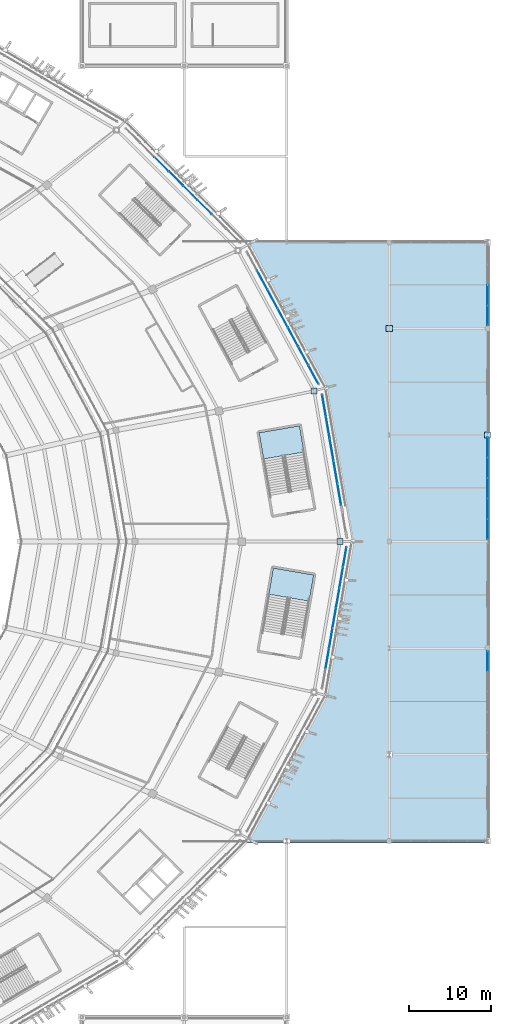
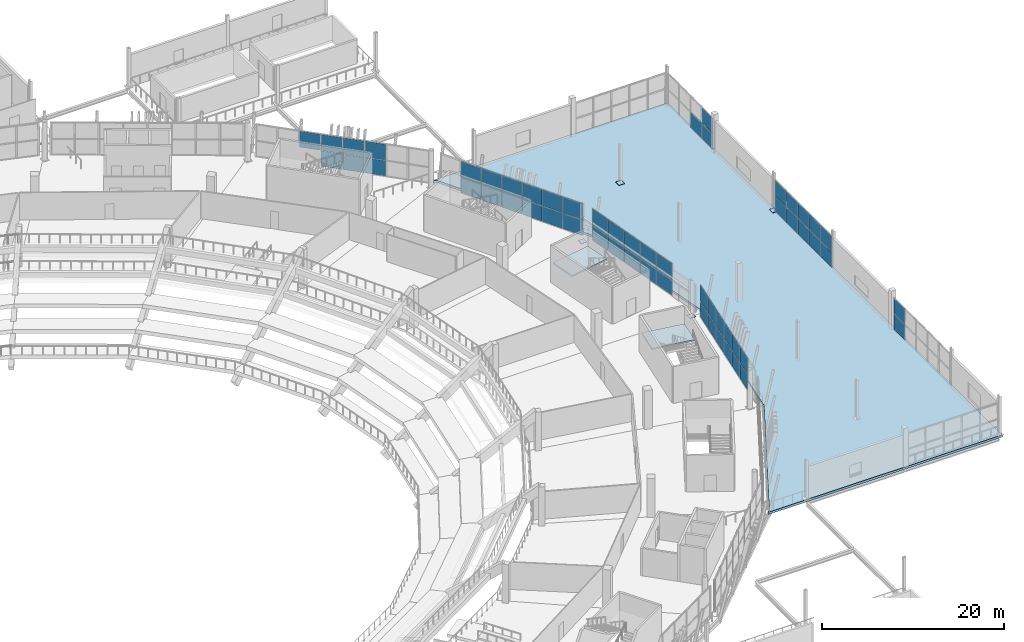
# One storey, part 98 of 178: 60 plates, 3 slabs, 9 elements without a shape of their own.
"""IFC4 building model written with IfcOpenShell, lengths in metres."""

from ifc_helpers import new_model, si_unit, direction, frame, origin, origin_2d, place, context, subcontext, project, spatial, polyline, rectangle, outline, extrude, material, layer, layer_set, type_object, element, aggregate, save


model = new_model("IFC4")

# Units and contexts
model_context = context("Model", 3, precision=1e-05, world=origin(), true_north=direction((0.0, 1.0)))
body_context = subcontext(model_context, "Body", "Model", "MODEL_VIEW")
ifc_project = project(units=[si_unit("LENGTHUNIT", "METRE"), si_unit("AREAUNIT", "SQUARE_METRE"), si_unit("VOLUMEUNIT", "CUBIC_METRE"), si_unit("PLANEANGLEUNIT", "RADIAN"), si_unit("MASSUNIT", "GRAM", prefix="KILO")], contexts=[model_context])

# Site, building, storey
site_placement = place(None, origin())
site = spatial("IfcSite", under=ifc_project, at=site_placement, CompositionType="ELEMENT")
building_placement = place(site_placement, origin())
building = spatial("IfcBuilding", under=site, at=building_placement, Name="Zlatoyarsky Gate Stadium", CompositionType="ELEMENT")
storey_placement = place(building_placement, frame((0.0, 0.0, 5.39990234375)))
storey = spatial("IfcBuildingStorey", under=building, at=storey_placement, Name="L01", CompositionType="ELEMENT", Elevation=5.39990234375)

# Curtain wall, plates
ifc_material_1 = material(Name="Thermally broken anodised aluminium curtain wall", Category="aluminium")
curtain_wall_type_1 = type_object("IfcCurtainWallType", Name="MONUMENTAL ARCHED GATE GLAZING LOWER", PredefinedType="USERDEFINED", material=ifc_material_1)
curtain_wall_1_placement = place(storey_placement, origin())
curtain_wall_1 = element("IfcCurtainWall", 1, at=curtain_wall_1_placement, inside=storey, type_object=curtain_wall_type_1, Name="Curtain wall CW-L01-00", ObjectType="ARCHED GATE GLAZING", PredefinedType="USERDEFINED")
ifc_material_2 = material(Name="Triple-glazed argon low-e architectural glass", Category="glass")
ifc_layer_1 = layer(ifc_material_2, 0.0458984375)
ifc_layer_set_1 = layer_set([ifc_layer_1], Name="Triple-glazed argon low-e architectural glass")
plate_type_1 = type_object("IfcPlateType", Name="ACOUSTIC LAMINATED GATE GLAZING PANEL 46", PredefinedType="CURTAIN_PANEL", material=ifc_layer_set_1)
plate_1_placement = place(storey_placement, frame((203.917724609375, 85.7626953125, 0.074951171875), z_axis=(0.0, 0.0, 1.0), x_axis=(-0.169451880356, 0.985538462082, 0.0)))
plate_1 = element("IfcPlate", 2, at=plate_1_placement, type_object=plate_type_1, Name="CW-AG1 panel 1.1", PredefinedType="CURTAIN_PANEL", context=body_context, shape_type="SweptSolid", body=[
    extrude(rectangle(XDim=2.644287109375, YDim=0.0458984375, at=origin_2d()), origin(), (0.0, 0.0, 1.0), 2.03759765625),
])
plate_2_placement = place(storey_placement, frame((203.917724609375, 85.7626953125, 2.1875), z_axis=(0.0, 0.0, 1.0), x_axis=(-0.169451880356, 0.985538462082, 0.0)))
plate_2 = element("IfcPlate", 3, at=plate_2_placement, type_object=plate_type_1, Name="CW-AG1 panel 1.2", PredefinedType="CURTAIN_PANEL", context=body_context, shape_type="SweptSolid", body=[
    extrude(rectangle(XDim=2.644287109375, YDim=0.0458984375, at=origin_2d()), origin(), (0.0, 0.0, 1.0), 2.137451171875),
])
plate_3_placement = place(storey_placement, frame((203.453857421875, 88.461181640625, 0.074951171875), z_axis=(0.0, 0.0, 1.0), x_axis=(-0.169451880356, 0.985538462082, 0.0)))
plate_3 = element("IfcPlate", 4, at=plate_3_placement, type_object=plate_type_1, Name="CW-AG1 panel 2.1", PredefinedType="CURTAIN_PANEL", context=body_context, shape_type="SweptSolid", body=[
    extrude(rectangle(XDim=2.681884765625, YDim=0.0458984375, at=origin_2d()), origin(), (0.0, 0.0, 1.0), 2.03759765625),
])
plate_4_placement = place(storey_placement, frame((203.453857421875, 88.461181640625, 2.1875), z_axis=(0.0, 0.0, 1.0), x_axis=(-0.169451880356, 0.985538462082, 0.0)))
plate_4 = element("IfcPlate", 5, at=plate_4_placement, type_object=plate_type_1, Name="CW-AG1 panel 2.2", PredefinedType="CURTAIN_PANEL", context=body_context, shape_type="SweptSolid", body=[
    extrude(rectangle(XDim=2.681884765625, YDim=0.0458984375, at=origin_2d()), origin(), (0.0, 0.0, 1.0), 2.137451171875),
])
plate_5_placement = place(storey_placement, frame((202.986572265625, 91.17822265625, 0.074951171875), z_axis=(0.0, 0.0, 1.0), x_axis=(-0.169451880356, 0.985538462082, 0.0)))
plate_5 = element("IfcPlate", 6, at=plate_5_placement, type_object=plate_type_1, Name="CW-AG1 panel 3.1", PredefinedType="CURTAIN_PANEL", context=body_context, shape_type="SweptSolid", body=[
    extrude(rectangle(XDim=2.681884765625, YDim=0.0458984375, at=origin_2d()), origin(), (0.0, 0.0, 1.0), 2.03759765625),
])
plate_6_placement = place(storey_placement, frame((202.986572265625, 91.17822265625, 2.1875), z_axis=(0.0, 0.0, 1.0), x_axis=(-0.169451880356, 0.985538462082, 0.0)))
plate_6 = element("IfcPlate", 7, at=plate_6_placement, type_object=plate_type_1, Name="CW-AG1 panel 3.2", PredefinedType="CURTAIN_PANEL", context=body_context, shape_type="SweptSolid", body=[
    extrude(rectangle(XDim=2.681884765625, YDim=0.0458984375, at=origin_2d()), origin(), (0.0, 0.0, 1.0), 2.137451171875),
])
plate_7_placement = place(storey_placement, frame((202.51953125, 93.895263671875, 0.074951171875), z_axis=(0.0, 0.0, 1.0), x_axis=(-0.169451880356, 0.985538462082, 0.0)))
plate_7 = element("IfcPlate", 8, at=plate_7_placement, type_object=plate_type_1, Name="CW-AG1 panel 4.1", PredefinedType="CURTAIN_PANEL", context=body_context, shape_type="SweptSolid", body=[
    extrude(rectangle(XDim=2.681884765625, YDim=0.0458984375, at=origin_2d()), origin(), (0.0, 0.0, 1.0), 2.03759765625),
])
plate_8_placement = place(storey_placement, frame((202.51953125, 93.895263671875, 2.1875), z_axis=(0.0, 0.0, 1.0), x_axis=(-0.169451880356, 0.985538462082, 0.0)))
plate_8 = element("IfcPlate", 9, at=plate_8_placement, type_object=plate_type_1, Name="CW-AG1 panel 4.2", PredefinedType="CURTAIN_PANEL", context=body_context, shape_type="SweptSolid", body=[
    extrude(rectangle(XDim=2.681884765625, YDim=0.0458984375, at=origin_2d()), origin(), (0.0, 0.0, 1.0), 2.137451171875),
])
plate_9_placement = place(storey_placement, frame((202.055419921875, 96.59375, 0.074951171875), z_axis=(0.0, 0.0, 1.0), x_axis=(-0.169451880356, 0.985538462082, 0.0)))
plate_9 = element("IfcPlate", 10, at=plate_9_placement, type_object=plate_type_1, Name="CW-AG1 panel 5.1", PredefinedType="CURTAIN_PANEL", context=body_context, shape_type="SweptSolid", body=[
    extrude(rectangle(XDim=2.644287109375, YDim=0.0458984375, at=origin_2d()), origin(), (0.0, 0.0, 1.0), 2.03759765625),
])
plate_10_placement = place(storey_placement, frame((202.055419921875, 96.59375, 2.1875), z_axis=(0.0, 0.0, 1.0), x_axis=(-0.169451880356, 0.985538462082, 0.0)))
plate_10 = element("IfcPlate", 11, at=plate_10_placement, type_object=plate_type_1, Name="CW-AG1 panel 5.2", PredefinedType="CURTAIN_PANEL", context=body_context, shape_type="SweptSolid", body=[
    extrude(rectangle(XDim=2.644287109375, YDim=0.0458984375, at=origin_2d()), origin(), (0.0, 0.0, 1.0), 2.137451171875),
])
aggregate(curtain_wall_1, [plate_1, plate_2, plate_3, plate_4, plate_5, plate_6, plate_7, plate_8, plate_9, plate_10])

# Slab
ifc_material_3 = material(Name="Concrete C40/50", Category="concrete")
ifc_layer_2 = layer(ifc_material_3, 0.300048828125)
ifc_layer_set_2 = layer_set([ifc_layer_2], Name="Concrete C40/50")
slab_type_1 = type_object("IfcSlabType", Name="CONCRETE CONCOURSE SLAB 300", PredefinedType="FLOOR", material=ifc_layer_set_2)
slab_1_placement = place(storey_placement, frame((0.0, 0.0, -0.2998046875)))
element("IfcSlab", 12, at=slab_1_placement, inside=storey, type_object=slab_type_1, Name="L01 wing V5_EAST slab", PredefinedType="FLOOR", context=body_context, shape_type="SweptSolid", body=[
    extrude(outline(polyline([(192.497802734375, 43.260009765625), (192.933349609375, 43.69580078125), (202.384765625, 61.20751953125), (205.6083984375, 80.0), (202.384765625, 98.79248046875), (192.933349609375, 116.30419921875), (192.497802734375, 116.739990234375), (222.239990234375, 116.739990234375), (222.239990234375, 43.260009765625), (192.497802734375, 43.260009765625)])), origin(), (0.0, 0.0, 1.0), 0.2998046875),
])

# Stair, slab
stair_type = type_object("IfcStairType", Name="CONCRETE DOGLEG EXIT STAIR H5200", PredefinedType="TWO_STRAIGHT_RUN_STAIR", material=ifc_material_3)
stair_1_placement = place(storey_placement, origin())
stair_1 = element("IfcStair", 13, at=stair_1_placement, inside=storey, type_object=stair_type, Name="L01 Exit Stair ST-01", PredefinedType="TWO_STRAIGHT_RUN_STAIR")
ifc_layer_3 = layer(ifc_material_3, 0.199951171875)
ifc_layer_set_3 = layer_set([ifc_layer_3], Name="Concrete C40/50")
slab_type_2 = type_object("IfcSlabType", Name="CONCRETE STAIR LANDING SLAB 200", PredefinedType="LANDING", material=ifc_layer_set_3)
slab_2_placement = place(storey_placement, frame((0.0, 0.0, 2.400146484375)))
slab_2 = element("IfcSlab", 14, at=slab_2_placement, type_object=slab_type_2, Name="ST-DG52 landing 1", PredefinedType="LANDING", context=body_context, shape_type="SweptSolid", body=[
    extrude(outline(polyline([(199.610595703125, 90.919677734375), (199.058349609375, 94.12255859375), (194.131103515625, 93.272705078125), (194.683349609375, 90.070068359375), (199.610595703125, 90.919677734375)])), origin(), (0.0, 0.0, 1.0), 0.199951171875),
])
aggregate(stair_1, [slab_2])

stair_2_placement = place(storey_placement, origin())
stair_2 = element("IfcStair", 15, at=stair_2_placement, inside=storey, type_object=stair_type, Name="L01 Exit Stair ST-20", PredefinedType="TWO_STRAIGHT_RUN_STAIR")
slab_3_placement = place(storey_placement, frame((0.0, 0.0, 2.400146484375)))
slab_3 = element("IfcSlab", 16, at=slab_3_placement, type_object=slab_type_2, Name="ST-DG52 landing 1", PredefinedType="LANDING", context=body_context, shape_type="SweptSolid", body=[
    extrude(outline(polyline([(200.239501953125, 72.7265625), (200.791748046875, 75.92919921875), (195.864501953125, 76.77880859375), (195.312255859375, 73.576171875), (200.239501953125, 72.7265625)])), origin(), (0.0, 0.0, 1.0), 0.199951171875),
])
aggregate(stair_2, [slab_3])

# Curtain wall, plates
curtain_wall_type_2 = type_object("IfcCurtainWallType", Name="WINTER GARDEN CONSERVATORY GLAZING", PredefinedType="USERDEFINED", material=ifc_material_1)
curtain_wall_2_placement = place(storey_placement, origin())
curtain_wall_2 = element("IfcCurtainWall", 17, at=curtain_wall_2_placement, inside=storey, type_object=curtain_wall_type_2, Name="Curtain wall CW-V5_EAST-L01-180", ObjectType="UNITISED GLAZING", PredefinedType="USERDEFINED")
ifc_material_4 = material(Name="Anodised aluminium spandrel panel", Category="aluminium")
ifc_layer_4 = layer(ifc_material_4, 0.05810546875)
ifc_layer_set_4 = layer_set([ifc_layer_4], Name="Anodised aluminium spandrel panel")
plate_type_2 = type_object("IfcPlateType", Name="INSULATED ALUMINIUM SPANDREL PANEL 58", PredefinedType="CURTAIN_PANEL", material=ifc_layer_set_4)
plate_11_placement = place(storey_placement, frame((222.0, 65.4267578125, 0.06494140625), z_axis=(0.0, 0.0, 1.0), x_axis=(0.0, 1.0, 0.0)))
plate_11 = element("IfcPlate", 18, at=plate_11_placement, type_object=plate_type_2, Name="CW-WG1 panel 5.1", PredefinedType="CURTAIN_PANEL", context=body_context, shape_type="SweptSolid", body=[
    extrude(rectangle(XDim=2.392578125, YDim=0.05810546875, at=origin_2d()), origin(), (0.0, 0.0, 1.0), 2.052490234375),
])
plate_12_placement = place(storey_placement, frame((222.0, 65.4267578125, 2.1826171875), z_axis=(0.0, 0.0, 1.0), x_axis=(0.0, 1.0, 0.0)))
plate_12 = element("IfcPlate", 19, at=plate_12_placement, type_object=plate_type_2, Name="CW-WG1 panel 5.2", PredefinedType="CURTAIN_PANEL", context=body_context, shape_type="SweptSolid", body=[
    extrude(rectangle(XDim=2.392578125, YDim=0.05810546875, at=origin_2d()), origin(), (0.0, 0.0, 1.0), 2.052490234375),
])
aggregate(curtain_wall_2, [plate_11, plate_12])

# Plates
ifc_material_5 = material(Name="Steel S355", Category="steel")
ifc_layer_5 = layer(ifc_material_5, 0.0400390625)
ifc_layer_set_5 = layer_set([ifc_layer_5], Name="Steel S355")
plate_type_3 = type_object("IfcPlateType", Name="STEEL COLUMN BASE PLATE 40", PredefinedType="USERDEFINED", material=ifc_layer_set_5)
for number, where, z_axis, x_axis, name in (
    (20, (204.0, 80.0, 0.0), (0.0, 0.0, 1.0), (1.0, 0.0, 0.0), "Column base plate BP-01 at RC-00 L01"),
    (21, (200.8310546875, 98.376220703125, 0.0), (0.0, 0.0, 1.0), (1.0, 0.0, 0.0), "Column base plate BP-01 at RC-01 L01"),
    (22, (210.0, 106.0, 0.0), (0.0, 0.0, 1.0), (1.0, 0.0, 0.0), "Column base plate BP-01 at WG-18-K L01"),
    (23, (222.0, 93.0, 0.0), (0.0, 0.0, 1.0), (1.0, 0.0, 0.0), "Column base plate BP-01 at WG-19-J L01"),
):
    element("IfcPlate", number, at=place(storey_placement, frame(where, z_axis=z_axis, x_axis=x_axis)), inside=storey, type_object=plate_type_3, Name=name, ObjectType="BASE PLATE", PredefinedType="USERDEFINED", context=body_context, shape_type="SweptSolid", body=[
        extrude(rectangle(XDim=0.75, YDim=0.75, at=origin_2d()), origin(), (0.0, 0.0, 1.0), 0.0400390625),
    ])

# Curtain wall, plates
curtain_wall_type_3 = type_object("IfcCurtainWallType", Name="UNITISED HOSPITALITY GLAZING L01", PredefinedType="USERDEFINED", material=ifc_material_1)
curtain_wall_3_placement = place(storey_placement, origin())
curtain_wall_3 = element("IfcCurtainWall", 24, at=curtain_wall_3_placement, inside=storey, type_object=curtain_wall_type_3, Name="Curtain wall CW-L01-01", ObjectType="UNITISED GLAZING", PredefinedType="USERDEFINED")
ifc_layer_6 = layer(ifc_material_2, 0.0380859375)
ifc_layer_set_6 = layer_set([ifc_layer_6], Name="Triple-glazed argon low-e architectural glass")
plate_type_4 = type_object("IfcPlateType", Name="TRIPLE GLAZED LOW E CURTAIN PANEL 38", PredefinedType="CURTAIN_PANEL", material=ifc_layer_set_6)
plate_13_placement = place(storey_placement, frame((200.765625, 100.3544921875, 0.06494140625), z_axis=(0.0, 0.0, 1.0), x_axis=(-0.475784225682, 0.879562033396, 0.0)))
plate_13 = element("IfcPlate", 25, at=plate_13_placement, type_object=plate_type_4, Name="CW-UG1 panel 1.1", PredefinedType="CURTAIN_PANEL", context=body_context, shape_type="SweptSolid", body=[
    extrude(rectangle(XDim=2.53369140625, YDim=0.0380859375, at=origin_2d()), origin(), (0.0, 0.0, 1.0), 2.052490234375),
])
plate_14_placement = place(storey_placement, frame((200.765625, 100.3544921875, 2.1826171875), z_axis=(0.0, 0.0, 1.0), x_axis=(-0.475784225682, 0.879562033396, 0.0)))
plate_14 = element("IfcPlate", 26, at=plate_14_placement, type_object=plate_type_4, Name="CW-UG1 panel 1.2", PredefinedType="CURTAIN_PANEL", context=body_context, shape_type="SweptSolid", body=[
    extrude(rectangle(XDim=2.53369140625, YDim=0.0380859375, at=origin_2d()), origin(), (0.0, 0.0, 1.0), 2.152587890625),
])
plate_15_placement = place(storey_placement, frame((199.521484375, 102.654296875, 0.06494140625), z_axis=(0.0, 0.0, 1.0), x_axis=(-0.475784225682, 0.879562033396, 0.0)))
plate_15 = element("IfcPlate", 27, at=plate_15_placement, type_object=plate_type_4, Name="CW-UG1 panel 2.1", PredefinedType="CURTAIN_PANEL", context=body_context, shape_type="SweptSolid", body=[
    extrude(rectangle(XDim=2.566162109375, YDim=0.0380859375, at=origin_2d()), origin(), (0.0, 0.0, 1.0), 2.052490234375),
])
plate_16_placement = place(storey_placement, frame((199.521484375, 102.654296875, 2.1826171875), z_axis=(0.0, 0.0, 1.0), x_axis=(-0.475784225682, 0.879562033396, 0.0)))
plate_16 = element("IfcPlate", 28, at=plate_16_placement, type_object=plate_type_4, Name="CW-UG1 panel 2.2", PredefinedType="CURTAIN_PANEL", context=body_context, shape_type="SweptSolid", body=[
    extrude(rectangle(XDim=2.566162109375, YDim=0.0380859375, at=origin_2d()), origin(), (0.0, 0.0, 1.0), 2.152587890625),
])
plate_17_placement = place(storey_placement, frame((198.269775390625, 104.968505859375, 0.06494140625), z_axis=(0.0, 0.0, 1.0), x_axis=(-0.475784225682, 0.879562033396, 0.0)))
plate_17 = element("IfcPlate", 29, at=plate_17_placement, type_object=plate_type_4, Name="CW-UG1 panel 3.1", PredefinedType="CURTAIN_PANEL", context=body_context, shape_type="SweptSolid", body=[
    extrude(rectangle(XDim=2.566162109375, YDim=0.0380859375, at=origin_2d()), origin(), (0.0, 0.0, 1.0), 2.052490234375),
])
plate_18_placement = place(storey_placement, frame((198.269775390625, 104.968505859375, 2.1826171875), z_axis=(0.0, 0.0, 1.0), x_axis=(-0.475784225682, 0.879562033396, 0.0)))
plate_18 = element("IfcPlate", 30, at=plate_18_placement, type_object=plate_type_4, Name="CW-UG1 panel 3.2", PredefinedType="CURTAIN_PANEL", context=body_context, shape_type="SweptSolid", body=[
    extrude(rectangle(XDim=2.566162109375, YDim=0.0380859375, at=origin_2d()), origin(), (0.0, 0.0, 1.0), 2.152587890625),
])
plate_19_placement = place(storey_placement, frame((197.017822265625, 107.28271484375, 0.06494140625), z_axis=(0.0, 0.0, 1.0), x_axis=(-0.475784225682, 0.879562033396, 0.0)))
plate_19 = element("IfcPlate", 31, at=plate_19_placement, type_object=plate_type_4, Name="CW-UG1 panel 4.1", PredefinedType="CURTAIN_PANEL", context=body_context, shape_type="SweptSolid", body=[
    extrude(rectangle(XDim=2.566162109375, YDim=0.0380859375, at=origin_2d()), origin(), (0.0, 0.0, 1.0), 2.052490234375),
])
plate_20_placement = place(storey_placement, frame((197.017822265625, 107.28271484375, 2.1826171875), z_axis=(0.0, 0.0, 1.0), x_axis=(-0.475784225682, 0.879562033396, 0.0)))
plate_20 = element("IfcPlate", 32, at=plate_20_placement, type_object=plate_type_4, Name="CW-UG1 panel 4.2", PredefinedType="CURTAIN_PANEL", context=body_context, shape_type="SweptSolid", body=[
    extrude(rectangle(XDim=2.566162109375, YDim=0.0380859375, at=origin_2d()), origin(), (0.0, 0.0, 1.0), 2.152587890625),
])
plate_21_placement = place(storey_placement, frame((195.76611328125, 109.596923828125, 0.06494140625), z_axis=(0.0, 0.0, 1.0), x_axis=(-0.475784225682, 0.879562033396, 0.0)))
plate_21 = element("IfcPlate", 33, at=plate_21_placement, type_object=plate_type_4, Name="CW-UG1 panel 5.1", PredefinedType="CURTAIN_PANEL", context=body_context, shape_type="SweptSolid", body=[
    extrude(rectangle(XDim=2.566162109375, YDim=0.0380859375, at=origin_2d()), origin(), (0.0, 0.0, 1.0), 2.052490234375),
])
plate_22_placement = place(storey_placement, frame((195.76611328125, 109.596923828125, 2.1826171875), z_axis=(0.0, 0.0, 1.0), x_axis=(-0.475784225682, 0.879562033396, 0.0)))
plate_22 = element("IfcPlate", 34, at=plate_22_placement, type_object=plate_type_4, Name="CW-UG1 panel 5.2", PredefinedType="CURTAIN_PANEL", context=body_context, shape_type="SweptSolid", body=[
    extrude(rectangle(XDim=2.566162109375, YDim=0.0380859375, at=origin_2d()), origin(), (0.0, 0.0, 1.0), 2.152587890625),
])
plate_23_placement = place(storey_placement, frame((194.51416015625, 111.911376953125, 0.06494140625), z_axis=(0.0, 0.0, 1.0), x_axis=(-0.475784225682, 0.879562033396, 0.0)))
plate_23 = element("IfcPlate", 35, at=plate_23_placement, type_object=plate_type_4, Name="CW-UG1 panel 6.1", PredefinedType="CURTAIN_PANEL", context=body_context, shape_type="SweptSolid", body=[
    extrude(rectangle(XDim=2.566162109375, YDim=0.0380859375, at=origin_2d()), origin(), (0.0, 0.0, 1.0), 2.052490234375),
])
plate_24_placement = place(storey_placement, frame((194.51416015625, 111.911376953125, 2.1826171875), z_axis=(0.0, 0.0, 1.0), x_axis=(-0.475784225682, 0.879562033396, 0.0)))
plate_24 = element("IfcPlate", 36, at=plate_24_placement, type_object=plate_type_4, Name="CW-UG1 panel 6.2", PredefinedType="CURTAIN_PANEL", context=body_context, shape_type="SweptSolid", body=[
    extrude(rectangle(XDim=2.566162109375, YDim=0.0380859375, at=origin_2d()), origin(), (0.0, 0.0, 1.0), 2.152587890625),
])
aggregate(curtain_wall_3, [plate_13, plate_14, plate_15, plate_16, plate_17, plate_18, plate_19, plate_20, plate_21, plate_22, plate_23, plate_24])

curtain_wall_4_placement = place(storey_placement, origin())
curtain_wall_4 = element("IfcCurtainWall", 37, at=curtain_wall_4_placement, inside=storey, type_object=curtain_wall_type_3, Name="Curtain wall CW-L01-02", ObjectType="UNITISED GLAZING", PredefinedType="USERDEFINED")
plate_25_placement = place(storey_placement, frame((187.490966796875, 120.780517578125, 0.06494140625), z_axis=(0.0, 0.0, 1.0), x_axis=(-0.707841859523, 0.706370937898, 0.0)))
plate_25 = element("IfcPlate", 38, at=plate_25_placement, type_object=plate_type_4, Name="CW-UG1 panel 3.1", PredefinedType="CURTAIN_PANEL", context=body_context, shape_type="SweptSolid", body=[
    extrude(rectangle(XDim=2.407958984375, YDim=0.0380859375, at=origin_2d()), origin(), (0.0, 0.0, 1.0), 2.052490234375),
])
plate_26_placement = place(storey_placement, frame((187.490966796875, 120.780517578125, 2.1826171875), z_axis=(0.0, 0.0, 1.0), x_axis=(-0.707841859523, 0.706370937898, 0.0)))
plate_26 = element("IfcPlate", 39, at=plate_26_placement, type_object=plate_type_4, Name="CW-UG1 panel 3.2", PredefinedType="CURTAIN_PANEL", context=body_context, shape_type="SweptSolid", body=[
    extrude(rectangle(XDim=2.407958984375, YDim=0.0380859375, at=origin_2d()), origin(), (0.0, 0.0, 1.0), 2.152587890625),
])
plate_27_placement = place(storey_placement, frame((185.740478515625, 122.52734375, 0.06494140625), z_axis=(0.0, 0.0, 1.0), x_axis=(-0.707841859523, 0.706370937898, 0.0)))
plate_27 = element("IfcPlate", 40, at=plate_27_placement, type_object=plate_type_4, Name="CW-UG1 panel 4.1", PredefinedType="CURTAIN_PANEL", context=body_context, shape_type="SweptSolid", body=[
    extrude(rectangle(XDim=2.407958984375, YDim=0.0380859375, at=origin_2d()), origin(), (0.0, 0.0, 1.0), 2.052490234375),
])
plate_28_placement = place(storey_placement, frame((185.740478515625, 122.52734375, 2.1826171875), z_axis=(0.0, 0.0, 1.0), x_axis=(-0.707841859523, 0.706370937898, 0.0)))
plate_28 = element("IfcPlate", 41, at=plate_28_placement, type_object=plate_type_4, Name="CW-UG1 panel 4.2", PredefinedType="CURTAIN_PANEL", context=body_context, shape_type="SweptSolid", body=[
    extrude(rectangle(XDim=2.407958984375, YDim=0.0380859375, at=origin_2d()), origin(), (0.0, 0.0, 1.0), 2.152587890625),
])
plate_29_placement = place(storey_placement, frame((183.989990234375, 124.274169921875, 0.06494140625), z_axis=(0.0, 0.0, 1.0), x_axis=(-0.707841859523, 0.706370937898, 0.0)))
plate_29 = element("IfcPlate", 42, at=plate_29_placement, type_object=plate_type_4, Name="CW-UG1 panel 5.1", PredefinedType="CURTAIN_PANEL", context=body_context, shape_type="SweptSolid", body=[
    extrude(rectangle(XDim=2.407958984375, YDim=0.0380859375, at=origin_2d()), origin(), (0.0, 0.0, 1.0), 2.052490234375),
])
plate_30_placement = place(storey_placement, frame((183.989990234375, 124.274169921875, 2.1826171875), z_axis=(0.0, 0.0, 1.0), x_axis=(-0.707841859523, 0.706370937898, 0.0)))
plate_30 = element("IfcPlate", 43, at=plate_30_placement, type_object=plate_type_4, Name="CW-UG1 panel 5.2", PredefinedType="CURTAIN_PANEL", context=body_context, shape_type="SweptSolid", body=[
    extrude(rectangle(XDim=2.407958984375, YDim=0.0380859375, at=origin_2d()), origin(), (0.0, 0.0, 1.0), 2.152587890625),
])
plate_31_placement = place(storey_placement, frame((182.239501953125, 126.020751953125, 2.1826171875), z_axis=(0.0, 0.0, 1.0), x_axis=(-0.707841859523, 0.706370937898, 0.0)))
plate_31 = element("IfcPlate", 44, at=plate_31_placement, type_object=plate_type_4, Name="CW-UG1 panel 6.2", PredefinedType="CURTAIN_PANEL", context=body_context, shape_type="SweptSolid", body=[
    extrude(rectangle(XDim=2.407958984375, YDim=0.0380859375, at=origin_2d()), origin(), (0.0, 0.0, 1.0), 2.152587890625),
])
aggregate(curtain_wall_4, [plate_25, plate_26, plate_27, plate_28, plate_29, plate_30, plate_31])

curtain_wall_5_placement = place(storey_placement, origin())
curtain_wall_5 = element("IfcCurtainWall", 45, at=curtain_wall_5_placement, inside=storey, type_object=curtain_wall_type_3, Name="Curtain wall CW-L01-23", ObjectType="UNITISED GLAZING", PredefinedType="USERDEFINED")
plate_32_placement = place(storey_placement, frame((202.457275390625, 65.742919921875, 0.06494140625), z_axis=(0.0, 0.0, 1.0), x_axis=(0.169451371657, 0.985538549547, 0.0)))
plate_32 = element("IfcPlate", 46, at=plate_32_placement, type_object=plate_type_4, Name="CW-UG1 panel 2.1", PredefinedType="CURTAIN_PANEL", context=body_context, shape_type="SweptSolid", body=[
    extrude(rectangle(XDim=2.447021484375, YDim=0.0380859375, at=origin_2d()), origin(), (0.0, 0.0, 1.0), 2.052490234375),
])
plate_33_placement = place(storey_placement, frame((202.457275390625, 65.742919921875, 2.1826171875), z_axis=(0.0, 0.0, 1.0), x_axis=(0.169451371657, 0.985538549547, 0.0)))
plate_33 = element("IfcPlate", 47, at=plate_33_placement, type_object=plate_type_4, Name="CW-UG1 panel 2.2", PredefinedType="CURTAIN_PANEL", context=body_context, shape_type="SweptSolid", body=[
    extrude(rectangle(XDim=2.447021484375, YDim=0.0380859375, at=origin_2d()), origin(), (0.0, 0.0, 1.0), 2.152587890625),
])
plate_34_placement = place(storey_placement, frame((202.8828125, 68.218505859375, 0.06494140625), z_axis=(0.0, 0.0, 1.0), x_axis=(0.169451371657, 0.985538549547, 0.0)))
plate_34 = element("IfcPlate", 48, at=plate_34_placement, type_object=plate_type_4, Name="CW-UG1 panel 3.1", PredefinedType="CURTAIN_PANEL", context=body_context, shape_type="SweptSolid", body=[
    extrude(rectangle(XDim=2.447021484375, YDim=0.0380859375, at=origin_2d()), origin(), (0.0, 0.0, 1.0), 2.052490234375),
])
plate_35_placement = place(storey_placement, frame((202.8828125, 68.218505859375, 2.1826171875), z_axis=(0.0, 0.0, 1.0), x_axis=(0.169451371657, 0.985538549547, 0.0)))
plate_35 = element("IfcPlate", 49, at=plate_35_placement, type_object=plate_type_4, Name="CW-UG1 panel 3.2", PredefinedType="CURTAIN_PANEL", context=body_context, shape_type="SweptSolid", body=[
    extrude(rectangle(XDim=2.447021484375, YDim=0.0380859375, at=origin_2d()), origin(), (0.0, 0.0, 1.0), 2.152587890625),
])
plate_36_placement = place(storey_placement, frame((203.30859375, 70.6943359375, 0.06494140625), z_axis=(0.0, 0.0, 1.0), x_axis=(0.169451371657, 0.985538549547, 0.0)))
plate_36 = element("IfcPlate", 50, at=plate_36_placement, type_object=plate_type_4, Name="CW-UG1 panel 4.1", PredefinedType="CURTAIN_PANEL", context=body_context, shape_type="SweptSolid", body=[
    extrude(rectangle(XDim=2.447021484375, YDim=0.0380859375, at=origin_2d()), origin(), (0.0, 0.0, 1.0), 2.052490234375),
])
plate_37_placement = place(storey_placement, frame((203.30859375, 70.6943359375, 2.1826171875), z_axis=(0.0, 0.0, 1.0), x_axis=(0.169451371657, 0.985538549547, 0.0)))
plate_37 = element("IfcPlate", 51, at=plate_37_placement, type_object=plate_type_4, Name="CW-UG1 panel 4.2", PredefinedType="CURTAIN_PANEL", context=body_context, shape_type="SweptSolid", body=[
    extrude(rectangle(XDim=2.447021484375, YDim=0.0380859375, at=origin_2d()), origin(), (0.0, 0.0, 1.0), 2.152587890625),
])
plate_38_placement = place(storey_placement, frame((203.734130859375, 73.170166015625, 0.06494140625), z_axis=(0.0, 0.0, 1.0), x_axis=(0.169451371657, 0.985538549547, 0.0)))
plate_38 = element("IfcPlate", 52, at=plate_38_placement, type_object=plate_type_4, Name="CW-UG1 panel 5.1", PredefinedType="CURTAIN_PANEL", context=body_context, shape_type="SweptSolid", body=[
    extrude(rectangle(XDim=2.447021484375, YDim=0.0380859375, at=origin_2d()), origin(), (0.0, 0.0, 1.0), 2.052490234375),
])
plate_39_placement = place(storey_placement, frame((203.734130859375, 73.170166015625, 2.1826171875), z_axis=(0.0, 0.0, 1.0), x_axis=(0.169451371657, 0.985538549547, 0.0)))
plate_39 = element("IfcPlate", 53, at=plate_39_placement, type_object=plate_type_4, Name="CW-UG1 panel 5.2", PredefinedType="CURTAIN_PANEL", context=body_context, shape_type="SweptSolid", body=[
    extrude(rectangle(XDim=2.447021484375, YDim=0.0380859375, at=origin_2d()), origin(), (0.0, 0.0, 1.0), 2.152587890625),
])
plate_40_placement = place(storey_placement, frame((204.159912109375, 75.645751953125, 0.06494140625), z_axis=(0.0, 0.0, 1.0), x_axis=(0.169451371657, 0.985538549547, 0.0)))
plate_40 = element("IfcPlate", 54, at=plate_40_placement, type_object=plate_type_4, Name="CW-UG1 panel 6.1", PredefinedType="CURTAIN_PANEL", context=body_context, shape_type="SweptSolid", body=[
    extrude(rectangle(XDim=2.447021484375, YDim=0.0380859375, at=origin_2d()), origin(), (0.0, 0.0, 1.0), 2.052490234375),
])
plate_41_placement = place(storey_placement, frame((204.159912109375, 75.645751953125, 2.1826171875), z_axis=(0.0, 0.0, 1.0), x_axis=(0.169451371657, 0.985538549547, 0.0)))
plate_41 = element("IfcPlate", 55, at=plate_41_placement, type_object=plate_type_4, Name="CW-UG1 panel 6.2", PredefinedType="CURTAIN_PANEL", context=body_context, shape_type="SweptSolid", body=[
    extrude(rectangle(XDim=2.447021484375, YDim=0.0380859375, at=origin_2d()), origin(), (0.0, 0.0, 1.0), 2.152587890625),
])
plate_42_placement = place(storey_placement, frame((204.582763671875, 78.10546875, 0.06494140625), z_axis=(0.0, 0.0, 1.0), x_axis=(0.169451371657, 0.985538549547, 0.0)))
plate_42 = element("IfcPlate", 56, at=plate_42_placement, type_object=plate_type_4, Name="CW-UG1 panel 7.1", PredefinedType="CURTAIN_PANEL", context=body_context, shape_type="SweptSolid", body=[
    extrude(rectangle(XDim=2.41455078125, YDim=0.0380859375, at=origin_2d()), origin(), (0.0, 0.0, 1.0), 2.052490234375),
])
plate_43_placement = place(storey_placement, frame((204.582763671875, 78.10546875, 2.1826171875), z_axis=(0.0, 0.0, 1.0), x_axis=(0.169451371657, 0.985538549547, 0.0)))
plate_43 = element("IfcPlate", 57, at=plate_43_placement, type_object=plate_type_4, Name="CW-UG1 panel 7.2", PredefinedType="CURTAIN_PANEL", context=body_context, shape_type="SweptSolid", body=[
    extrude(rectangle(XDim=2.41455078125, YDim=0.0380859375, at=origin_2d()), origin(), (0.0, 0.0, 1.0), 2.152587890625),
])
aggregate(curtain_wall_5, [plate_32, plate_33, plate_34, plate_35, plate_36, plate_37, plate_38, plate_39, plate_40, plate_41, plate_42, plate_43])

curtain_wall_6_placement = place(storey_placement, origin())
curtain_wall_6 = element("IfcCurtainWall", 58, at=curtain_wall_6_placement, inside=storey, type_object=curtain_wall_type_2, Name="Curtain wall CW-V5_EAST-L01-181", ObjectType="UNITISED GLAZING", PredefinedType="USERDEFINED")
plate_44_placement = place(storey_placement, frame((222.0, 81.505859375, 0.06494140625), z_axis=(0.0, 0.0, 1.0), x_axis=(0.0, 1.0, 0.0)))
plate_44 = element("IfcPlate", 59, at=plate_44_placement, type_object=plate_type_4, Name="CW-WG1 panel 1.1", PredefinedType="CURTAIN_PANEL", context=body_context, shape_type="SweptSolid", body=[
    extrude(rectangle(XDim=2.40771484375, YDim=0.0380859375, at=origin_2d()), origin(), (0.0, 0.0, 1.0), 2.052490234375),
])
plate_45_placement = place(storey_placement, frame((222.0, 81.505859375, 2.1826171875), z_axis=(0.0, 0.0, 1.0), x_axis=(0.0, 1.0, 0.0)))
plate_45 = element("IfcPlate", 60, at=plate_45_placement, type_object=plate_type_4, Name="CW-WG1 panel 1.2", PredefinedType="CURTAIN_PANEL", context=body_context, shape_type="SweptSolid", body=[
    extrude(rectangle(XDim=2.40771484375, YDim=0.0380859375, at=origin_2d()), origin(), (0.0, 0.0, 1.0), 2.052490234375),
])
plate_46_placement = place(storey_placement, frame((222.0, 83.994873046875, 0.06494140625), z_axis=(0.0, 0.0, 1.0), x_axis=(0.0, 1.0, 0.0)))
plate_46 = element("IfcPlate", 61, at=plate_46_placement, type_object=plate_type_4, Name="CW-WG1 panel 2.1", PredefinedType="CURTAIN_PANEL", context=body_context, shape_type="SweptSolid", body=[
    extrude(rectangle(XDim=2.440185546875, YDim=0.0380859375, at=origin_2d()), origin(), (0.0, 0.0, 1.0), 2.052490234375),
])
plate_47_placement = place(storey_placement, frame((222.0, 83.994873046875, 2.1826171875), z_axis=(0.0, 0.0, 1.0), x_axis=(0.0, 1.0, 0.0)))
plate_47 = element("IfcPlate", 62, at=plate_47_placement, type_object=plate_type_4, Name="CW-WG1 panel 2.2", PredefinedType="CURTAIN_PANEL", context=body_context, shape_type="SweptSolid", body=[
    extrude(rectangle(XDim=2.440185546875, YDim=0.0380859375, at=origin_2d()), origin(), (0.0, 0.0, 1.0), 2.052490234375),
])
plate_48_placement = place(storey_placement, frame((222.0, 86.5, 0.06494140625), z_axis=(0.0, 0.0, 1.0), x_axis=(0.0, 1.0, 0.0)))
plate_48 = element("IfcPlate", 63, at=plate_48_placement, type_object=plate_type_4, Name="CW-WG1 panel 3.1", PredefinedType="CURTAIN_PANEL", context=body_context, shape_type="SweptSolid", body=[
    extrude(rectangle(XDim=2.440185546875, YDim=0.0380859375, at=origin_2d()), origin(), (0.0, 0.0, 1.0), 2.052490234375),
])
plate_49_placement = place(storey_placement, frame((222.0, 86.5, 2.1826171875), z_axis=(0.0, 0.0, 1.0), x_axis=(0.0, 1.0, 0.0)))
plate_49 = element("IfcPlate", 64, at=plate_49_placement, type_object=plate_type_4, Name="CW-WG1 panel 3.2", PredefinedType="CURTAIN_PANEL", context=body_context, shape_type="SweptSolid", body=[
    extrude(rectangle(XDim=2.440185546875, YDim=0.0380859375, at=origin_2d()), origin(), (0.0, 0.0, 1.0), 2.052490234375),
])
plate_50_placement = place(storey_placement, frame((222.0, 89.005126953125, 0.06494140625), z_axis=(0.0, 0.0, 1.0), x_axis=(0.0, 1.0, 0.0)))
plate_50 = element("IfcPlate", 65, at=plate_50_placement, type_object=plate_type_4, Name="CW-WG1 panel 4.1", PredefinedType="CURTAIN_PANEL", context=body_context, shape_type="SweptSolid", body=[
    extrude(rectangle(XDim=2.440185546875, YDim=0.0380859375, at=origin_2d()), origin(), (0.0, 0.0, 1.0), 2.052490234375),
])
plate_51_placement = place(storey_placement, frame((222.0, 89.005126953125, 2.1826171875), z_axis=(0.0, 0.0, 1.0), x_axis=(0.0, 1.0, 0.0)))
plate_51 = element("IfcPlate", 66, at=plate_51_placement, type_object=plate_type_4, Name="CW-WG1 panel 4.2", PredefinedType="CURTAIN_PANEL", context=body_context, shape_type="SweptSolid", body=[
    extrude(rectangle(XDim=2.440185546875, YDim=0.0380859375, at=origin_2d()), origin(), (0.0, 0.0, 1.0), 2.052490234375),
])
plate_52_placement = place(storey_placement, frame((222.0, 91.494140625, 0.06494140625), z_axis=(0.0, 0.0, 1.0), x_axis=(0.0, 1.0, 0.0)))
plate_52 = element("IfcPlate", 67, at=plate_52_placement, type_object=plate_type_4, Name="CW-WG1 panel 5.1", PredefinedType="CURTAIN_PANEL", context=body_context, shape_type="SweptSolid", body=[
    extrude(rectangle(XDim=2.40771484375, YDim=0.0380859375, at=origin_2d()), origin(), (0.0, 0.0, 1.0), 2.052490234375),
])
plate_53_placement = place(storey_placement, frame((222.0, 91.494140625, 2.1826171875), z_axis=(0.0, 0.0, 1.0), x_axis=(0.0, 1.0, 0.0)))
plate_53 = element("IfcPlate", 68, at=plate_53_placement, type_object=plate_type_4, Name="CW-WG1 panel 5.2", PredefinedType="CURTAIN_PANEL", context=body_context, shape_type="SweptSolid", body=[
    extrude(rectangle(XDim=2.40771484375, YDim=0.0380859375, at=origin_2d()), origin(), (0.0, 0.0, 1.0), 2.052490234375),
])
aggregate(curtain_wall_6, [plate_44, plate_45, plate_46, plate_47, plate_48, plate_49, plate_50, plate_51, plate_52, plate_53])

curtain_wall_7_placement = place(storey_placement, origin())
curtain_wall_7 = element("IfcCurtainWall", 69, at=curtain_wall_7_placement, inside=storey, type_object=curtain_wall_type_2, Name="Curtain wall CW-V5_EAST-L01-182", ObjectType="UNITISED GLAZING", PredefinedType="USERDEFINED")
plate_54_placement = place(storey_placement, frame((222.0, 107.572021484375, 0.06494140625), z_axis=(0.0, 0.0, 1.0), x_axis=(0.0, 1.0, 0.0)))
plate_54 = element("IfcPlate", 70, at=plate_54_placement, type_object=plate_type_4, Name="CW-WG1 panel 1.1", PredefinedType="CURTAIN_PANEL", context=body_context, shape_type="SweptSolid", body=[
    extrude(rectangle(XDim=2.39013671875, YDim=0.0380859375, at=origin_2d()), origin(), (0.0, 0.0, 1.0), 2.052490234375),
])
plate_55_placement = place(storey_placement, frame((222.0, 107.572021484375, 2.1826171875), z_axis=(0.0, 0.0, 1.0), x_axis=(0.0, 1.0, 0.0)))
plate_55 = element("IfcPlate", 71, at=plate_55_placement, type_object=plate_type_4, Name="CW-WG1 panel 1.2", PredefinedType="CURTAIN_PANEL", context=body_context, shape_type="SweptSolid", body=[
    extrude(rectangle(XDim=2.39013671875, YDim=0.0380859375, at=origin_2d()), origin(), (0.0, 0.0, 1.0), 2.052490234375),
])
plate_56_placement = place(storey_placement, frame((222.0, 110.043701171875, 0.06494140625), z_axis=(0.0, 0.0, 1.0), x_axis=(0.0, 1.0, 0.0)))
plate_56 = element("IfcPlate", 72, at=plate_56_placement, type_object=plate_type_4, Name="CW-WG1 panel 2.1", PredefinedType="CURTAIN_PANEL", context=body_context, shape_type="SweptSolid", body=[
    extrude(rectangle(XDim=2.4228515625, YDim=0.0380859375, at=origin_2d()), origin(), (0.0, 0.0, 1.0), 2.052490234375),
])
aggregate(curtain_wall_7, [plate_54, plate_55, plate_56])

save(model, "model.ifc")
